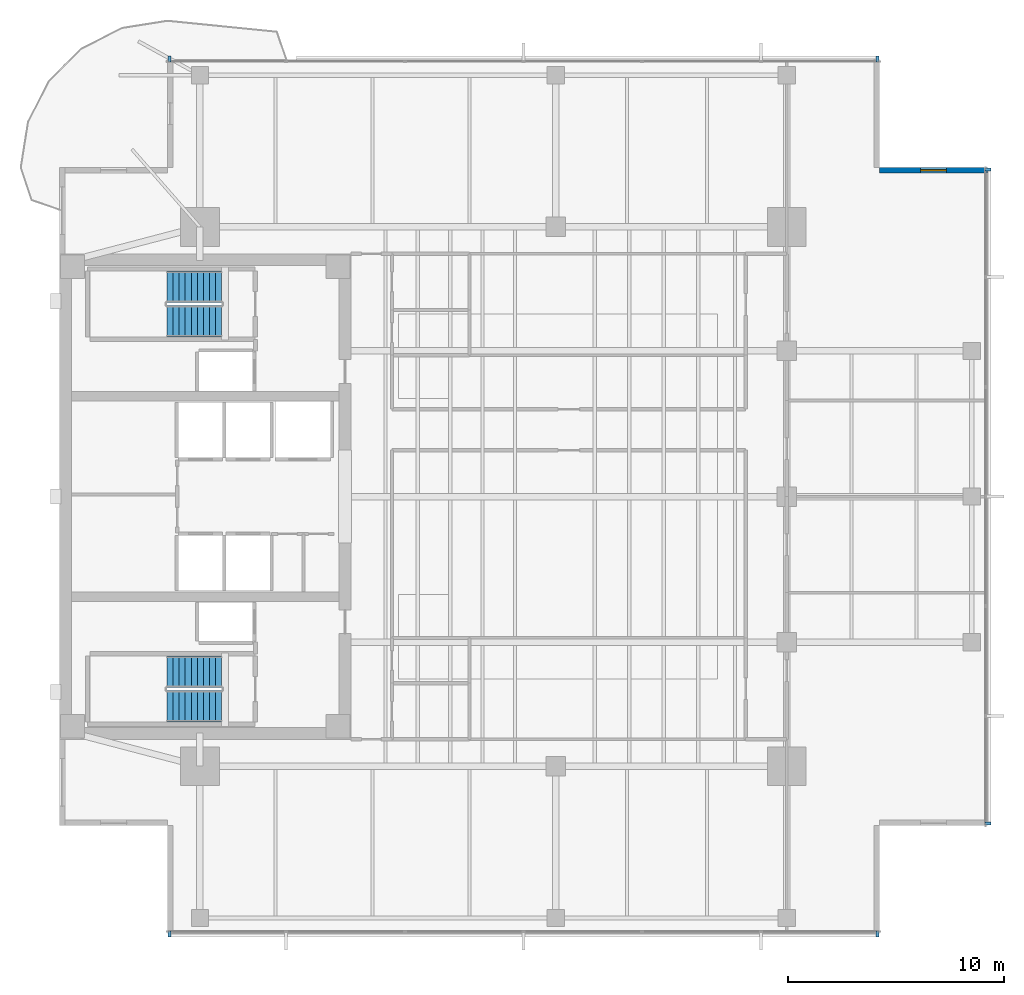
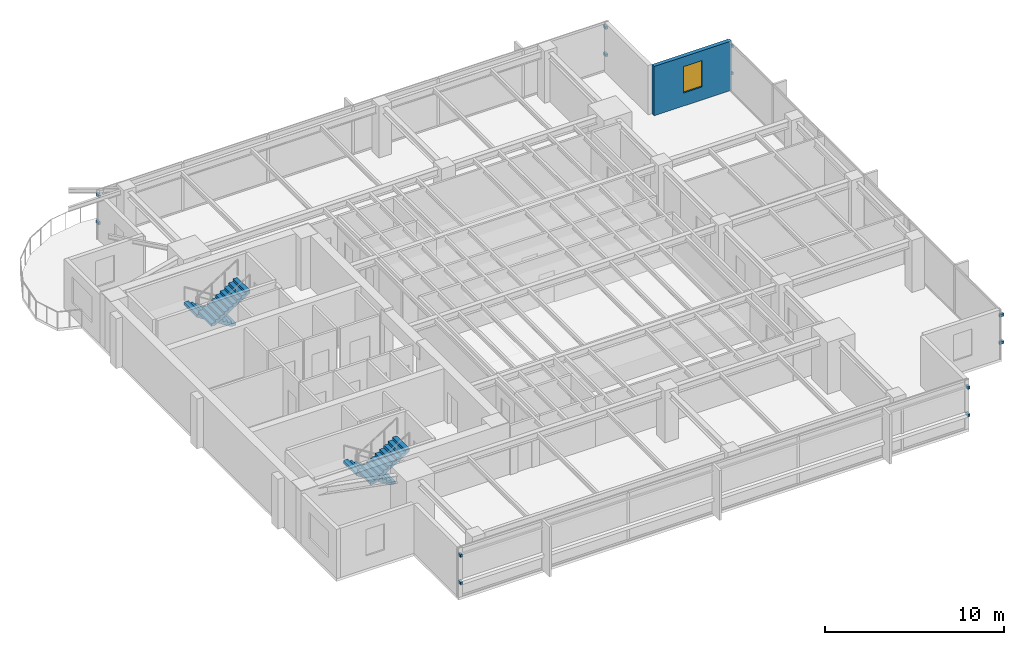
# One storey, part 10 of 14: 12 discrete accessories, 4 stair flights, 1 wall, 1 window, 1 opening, 2 elements without a shape of their own.
"""IFC4 building model written with IfcOpenShell, lengths in metres."""

from ifc_helpers import new_model, si_unit, direction, frame, frame_2d, origin, origin_2d, place, context, subcontext, project, spatial, polyline, rectangle, outline, extrude, material, layer, layer_set, type_object, element, fill, aggregate, save


model = new_model("IFC4")

# Units and contexts
model_context = context("Model", 3, precision=1e-05, world=origin(), true_north=direction((0.0, 1.0)))
body_context = subcontext(model_context, "Body", "Model", "MODEL_VIEW")
ifc_project = project(units=[si_unit("LENGTHUNIT", "METRE"), si_unit("AREAUNIT", "SQUARE_METRE"), si_unit("VOLUMEUNIT", "CUBIC_METRE"), si_unit("PLANEANGLEUNIT", "RADIAN"), si_unit("MASSUNIT", "GRAM", prefix="KILO")], contexts=[model_context])

# Site, building, storey
site_placement = place(None, origin())
site = spatial("IfcSite", under=ifc_project, at=site_placement, CompositionType="ELEMENT")
building_placement = place(site_placement, origin())
building = spatial("IfcBuilding", under=site, at=building_placement, Name="Kinhvarn Gate Tower", CompositionType="ELEMENT")
storey_placement = place(building_placement, frame((0.0, 0.0, 205.800048828125)))
storey = spatial("IfcBuildingStorey", under=building, at=storey_placement, Name="L54", CompositionType="ELEMENT", Elevation=205.800048828125)

# Wall, opening, window
ifc_material_1 = material(Name="Fired architectural terracotta", Category="masonry")
ifc_layer = layer(ifc_material_1, 0.25)
ifc_layer_set = layer_set([ifc_layer], Name="Fired architectural terracotta")
wall_type = type_object("IfcWallType", Name="WL-EXT-250", PredefinedType="SOLIDWALL", material=ifc_layer_set)
wall_placement = place(storey_placement, frame((47.5, 40.375, 0.0), z_axis=(0.0, 0.0, 1.0), x_axis=(-1.0, 0.0, 0.0)))
wall = element("IfcWall", 1, at=wall_placement, inside=storey, type_object=wall_type, Name="Exterior Solidwall Wall EW-250 (L54 NE-Notch-1)", PredefinedType="SOLIDWALL", context=body_context, shape_type="SweptSolid", body=[
    extrude(rectangle(XDim=5.0, YDim=0.25, at=frame_2d((2.5, 0.0))), origin(), (0.0, 0.0, 1.0), 3.369873046875),
])
opening_placement = place(wall_placement, frame((1.89990234375, 0.0, 0.89990234375)))
opening = element("IfcOpeningElement", 2, at=opening_placement, cuts=wall, Name="Opening WN-02", PredefinedType="OPENING", context=body_context, shape_type="SweptSolid", body=[
    extrude(rectangle(XDim=1.199951171875, YDim=1.800048828125, at=frame_2d((0.60009765625, 0.89990234375))), frame((0.0, 0.135009765625, 0.0), z_axis=(0.0, -1.0, 0.0), x_axis=(1.0, 0.0, 0.0)), (0.0, 0.0, 1.0), 0.27001953125),
])
ifc_material_2 = material(Name="Clear low-e double glazing", Category="glass")
window_type = type_object("IfcWindowType", Name="WIN-NTC-1200", PartitioningType="SINGLE_PANEL", PredefinedType="WINDOW", material=ifc_material_2)
window_placement = place(opening_placement, origin())
window = element("IfcWindow", 3, at=window_placement, inside=storey, type_object=window_type, Name="Recessed Corner Notch Punched Window 1200x1800 mm (L54)", OverallHeight=1.800048828125, OverallWidth=1.199951171875, PartitioningType="SINGLE_PANEL", PredefinedType="WINDOW", context=body_context, shape_type="SweptSolid", body=[
    extrude(rectangle(XDim=1.199951171875, YDim=1.800048828125, at=frame_2d((0.60009765625, 0.89990234375))), frame((0.0, 0.030029296875, 0.0), z_axis=(0.0, -1.0, 0.0), x_axis=(1.0, 0.0, 0.0)), (0.0, 0.0, 1.0), 0.06005859375),
])
fill(opening, window)

# Stair, stair flights
ifc_material_3 = material(Name="Concrete C40/50", Category="concrete")
stair_type = type_object("IfcStairType", Name="STR-DLG-177", PredefinedType="HALF_TURN_STAIR", material=ifc_material_3)
stair_1_placement = place(storey_placement, origin())
stair_1 = element("IfcStair", 4, at=stair_1_placement, inside=storey, type_object=stair_type, Name="L54 Core Smokeproof Exit Stair ST1", PredefinedType="HALF_TURN_STAIR")
stair_flight_type = type_object("IfcStairFlightType", Name="STF-DLG-177", PredefinedType="STRAIGHT", material=ifc_material_3)
stair_flight_1_placement = place(storey_placement, frame((12.0, 17.125, 0.0), z_axis=(0.0, 0.0, 1.0), x_axis=(-1.0, 0.0, 0.0)))
stair_flight_1 = element("IfcStairFlight", 5, at=stair_flight_1_placement, type_object=stair_flight_type, Name="ST1 flight 1", NumberOfRisers=10, NumberOfTreads=9, PredefinedType="STRAIGHT", RiserHeight=0.1775, TreadLength=0.28, context=body_context, shape_type="SweptSolid", body=[
    extrude(outline(polyline([(0.0, 0.0), (0.0, 0.177490234375), (0.280029296875, 0.177490234375), (0.280029296875, 0.35498046875), (0.56005859375, 0.35498046875), (0.56005859375, 0.532470703125), (0.840087890625, 0.532470703125), (0.840087890625, 0.7099609375), (1.1201171875, 0.7099609375), (1.1201171875, 0.887451171875), (1.39990234375, 0.887451171875), (1.39990234375, 1.06494140625), (1.679931640625, 1.06494140625), (1.679931640625, 1.242431640625), (1.9599609375, 1.242431640625), (1.9599609375, 1.419921875), (2.239990234375, 1.419921875), (2.239990234375, 1.597412109375), (2.52001953125, 1.597412109375), (2.52001953125, 1.77490234375), (2.52001953125, 1.419921875), (0.280029296875, 0.0), (0.0, 0.0)])), frame((0.0, 0.72509765625, 0.0), z_axis=(0.0, -1.0, 0.0), x_axis=(1.0, 0.0, 0.0)), (0.0, 0.0, 1.0), 1.449951171875),
])
stair_flight_2_placement = place(storey_placement, frame((9.47998046875, 15.52490234375, 1.77490234375), z_axis=(0.0, 0.0, 1.0), x_axis=(1.0, 0.0, 0.0)))
stair_flight_2 = element("IfcStairFlight", 6, at=stair_flight_2_placement, type_object=stair_flight_type, Name="ST1 flight 2", NumberOfRisers=10, NumberOfTreads=9, PredefinedType="STRAIGHT", RiserHeight=0.1775, TreadLength=0.28, context=body_context, shape_type="SweptSolid", body=[
    extrude(outline(polyline([(0.0, 0.0), (0.0, 0.177490234375), (0.280029296875, 0.177490234375), (0.280029296875, 0.35498046875), (0.56005859375, 0.35498046875), (0.56005859375, 0.532470703125), (0.840087890625, 0.532470703125), (0.840087890625, 0.7099609375), (1.1201171875, 0.7099609375), (1.1201171875, 0.887451171875), (1.39990234375, 0.887451171875), (1.39990234375, 1.06494140625), (1.679931640625, 1.06494140625), (1.679931640625, 1.242431640625), (1.9599609375, 1.242431640625), (1.9599609375, 1.419921875), (2.239990234375, 1.419921875), (2.239990234375, 1.597412109375), (2.52001953125, 1.597412109375), (2.52001953125, 1.77490234375), (2.52001953125, 1.419921875), (0.280029296875, 0.0), (0.0, 0.0)])), frame((0.0, 0.72509765625, 0.0), z_axis=(0.0, -1.0, 0.0), x_axis=(1.0, 0.0, 0.0)), (0.0, 0.0, 1.0), 1.449951171875),
])
aggregate(stair_1, [stair_flight_1, stair_flight_2])

stair_2_placement = place(storey_placement, origin())
stair_2 = element("IfcStair", 7, at=stair_2_placement, inside=storey, type_object=stair_type, Name="L54 Core Smokeproof Exit Stair ST2", PredefinedType="HALF_TURN_STAIR")
stair_flight_3_placement = place(storey_placement, frame((12.0, 34.97509765625, 0.0), z_axis=(0.0, 0.0, 1.0), x_axis=(-1.0, 0.0, 0.0)))
stair_flight_3 = element("IfcStairFlight", 8, at=stair_flight_3_placement, type_object=stair_flight_type, Name="ST2 flight 1", NumberOfRisers=10, NumberOfTreads=9, PredefinedType="STRAIGHT", RiserHeight=0.1775, TreadLength=0.28, context=body_context, shape_type="SweptSolid", body=[
    extrude(outline(polyline([(0.0, 0.0), (0.0, 0.177490234375), (0.280029296875, 0.177490234375), (0.280029296875, 0.35498046875), (0.56005859375, 0.35498046875), (0.56005859375, 0.532470703125), (0.840087890625, 0.532470703125), (0.840087890625, 0.7099609375), (1.1201171875, 0.7099609375), (1.1201171875, 0.887451171875), (1.39990234375, 0.887451171875), (1.39990234375, 1.06494140625), (1.679931640625, 1.06494140625), (1.679931640625, 1.242431640625), (1.9599609375, 1.242431640625), (1.9599609375, 1.419921875), (2.239990234375, 1.419921875), (2.239990234375, 1.597412109375), (2.52001953125, 1.597412109375), (2.52001953125, 1.77490234375), (2.52001953125, 1.419921875), (0.280029296875, 0.0), (0.0, 0.0)])), frame((0.0, 0.72509765625, 0.0), z_axis=(0.0, -1.0, 0.0), x_axis=(1.0, 0.0, 0.0)), (0.0, 0.0, 1.0), 1.449951171875),
])
stair_flight_4_placement = place(storey_placement, frame((9.47998046875, 33.375, 1.77490234375), z_axis=(0.0, 0.0, 1.0), x_axis=(1.0, 0.0, 0.0)))
stair_flight_4 = element("IfcStairFlight", 9, at=stair_flight_4_placement, type_object=stair_flight_type, Name="ST2 flight 2", NumberOfRisers=10, NumberOfTreads=9, PredefinedType="STRAIGHT", RiserHeight=0.1775, TreadLength=0.28, context=body_context, shape_type="SweptSolid", body=[
    extrude(outline(polyline([(0.0, 0.0), (0.0, 0.177490234375), (0.280029296875, 0.177490234375), (0.280029296875, 0.35498046875), (0.56005859375, 0.35498046875), (0.56005859375, 0.532470703125), (0.840087890625, 0.532470703125), (0.840087890625, 0.7099609375), (1.1201171875, 0.7099609375), (1.1201171875, 0.887451171875), (1.39990234375, 0.887451171875), (1.39990234375, 1.06494140625), (1.679931640625, 1.06494140625), (1.679931640625, 1.242431640625), (1.9599609375, 1.242431640625), (1.9599609375, 1.419921875), (2.239990234375, 1.419921875), (2.239990234375, 1.597412109375), (2.52001953125, 1.597412109375), (2.52001953125, 1.77490234375), (2.52001953125, 1.419921875), (0.280029296875, 0.0), (0.0, 0.0)])), frame((0.0, 0.72509765625, 0.0), z_axis=(0.0, -1.0, 0.0), x_axis=(1.0, 0.0, 0.0)), (0.0, 0.0, 1.0), 1.449951171875),
])
aggregate(stair_2, [stair_flight_3, stair_flight_4])

# Discrete accessories
ifc_material_4 = material(Name="Anodised aluminium AW-6063", Category="aluminium")
discrete_accessory_type = type_object("IfcDiscreteAccessoryType", Name="ACC-BRK-01", PredefinedType="BRACKET", material=ifc_material_4)
for number, where, z_axis, x_axis, name in (
    (10, (9.60009765625, 4.969970703125, 0.9599609375), (0.0, 0.0, 1.0), (1.0, 0.0, 0.0), "Baguette Support Bracket BK-01 (L54)"),
    (11, (9.60009765625, 4.969970703125, 2.830078125), (0.0, 0.0, 1.0), (1.0, 0.0, 0.0), "Baguette Support Bracket BK-01 (L54)"),
    (12, (42.39990234375, 4.969970703125, 0.9599609375), (0.0, 0.0, 1.0), (1.0, 0.0, 0.0), "Baguette Support Bracket BK-01 (L54)"),
    (13, (42.39990234375, 4.969970703125, 2.830078125), (0.0, 0.0, 1.0), (1.0, 0.0, 0.0), "Baguette Support Bracket BK-01 (L54)"),
    (14, (42.39990234375, 45.530029296875, 0.9599609375), (0.0, 0.0, 1.0), (-1.0, 0.0, 0.0), "Baguette Support Bracket BK-01 (L54)"),
    (15, (42.39990234375, 45.530029296875, 2.830078125), (0.0, 0.0, 1.0), (-1.0, 0.0, 0.0), "Baguette Support Bracket BK-01 (L54)"),
    (16, (9.60009765625, 45.530029296875, 0.9599609375), (0.0, 0.0, 1.0), (-1.0, 0.0, 0.0), "Baguette Support Bracket BK-01 (L54)"),
    (17, (9.60009765625, 45.530029296875, 2.830078125), (0.0, 0.0, 1.0), (-1.0, 0.0, 0.0), "Baguette Support Bracket BK-01 (L54)"),
    (18, (47.530029296875, 10.10009765625, 0.9599609375), (0.0, 0.0, 1.0), (0.0, 1.0, 0.0), "Baguette Support Bracket BK-01 (L54)"),
    (19, (47.530029296875, 10.10009765625, 2.830078125), (0.0, 0.0, 1.0), (0.0, 1.0, 0.0), "Baguette Support Bracket BK-01 (L54)"),
    (20, (47.530029296875, 40.39990234375, 0.9599609375), (0.0, 0.0, 1.0), (0.0, 1.0, 0.0), "Baguette Support Bracket BK-01 (L54)"),
    (21, (47.530029296875, 40.39990234375, 2.830078125), (0.0, 0.0, 1.0), (0.0, 1.0, 0.0), "Baguette Support Bracket BK-01 (L54)"),
):
    element("IfcDiscreteAccessory", number, at=place(storey_placement, frame(where, z_axis=z_axis, x_axis=x_axis)), inside=storey, type_object=discrete_accessory_type, Name=name, PredefinedType="BRACKET", context=body_context, shape_type="SweptSolid", body=[
        extrude(rectangle(XDim=0.139892578125, YDim=0.280029296875, at=origin_2d()), origin(), (0.0, 0.0, 1.0), 0.179931640625),
    ])

save(model, "model.ifc")
